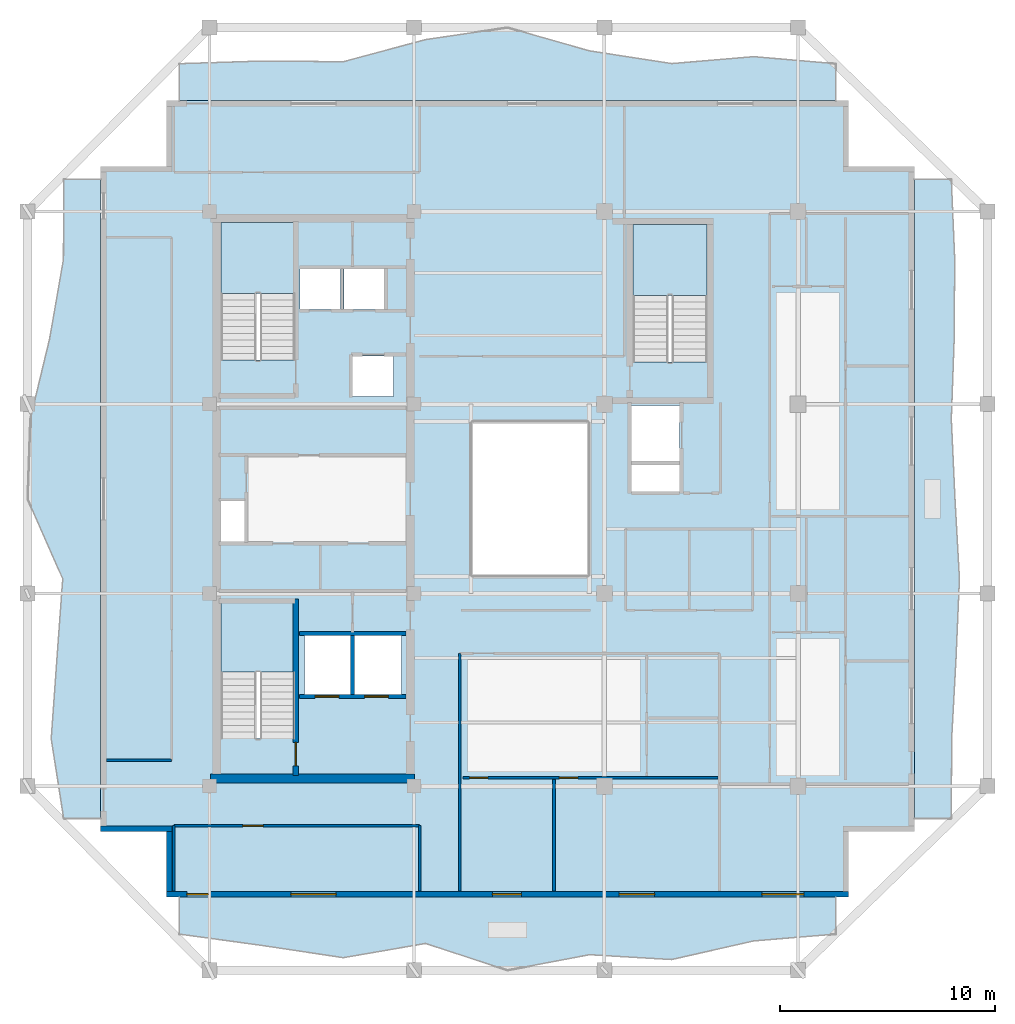
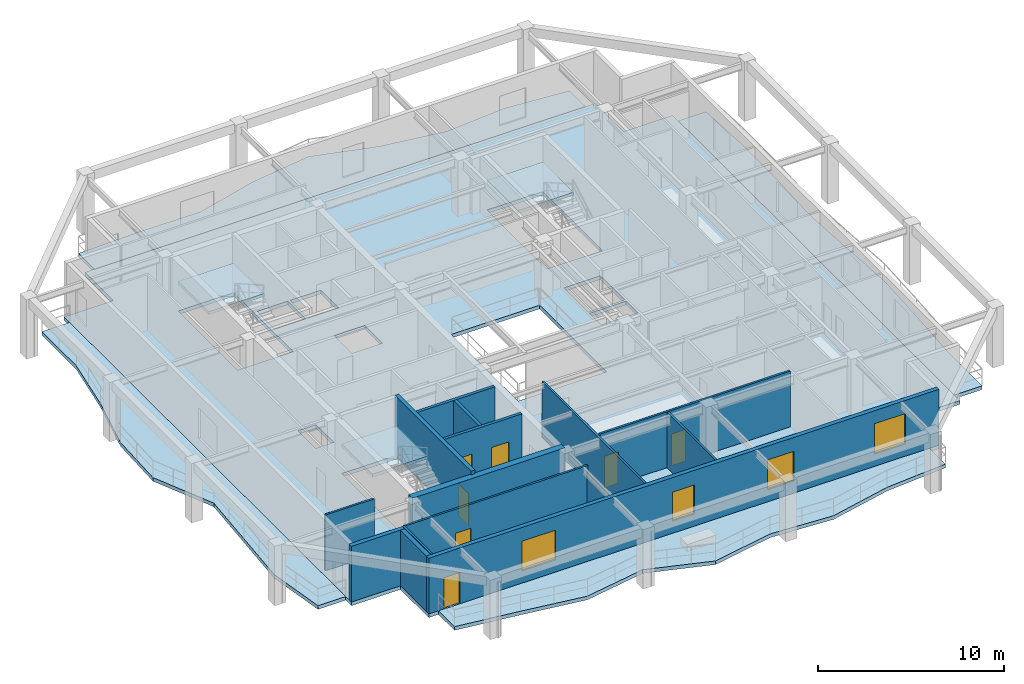
# One storey, part 2 of 10: 15 walls, 8 slabs, 7 doors, 4 windows, 11 openings, 3 elements without a shape of their own.
"""IFC4 building model written with IfcOpenShell, lengths in metres."""

from ifc_helpers import new_model, si_unit, direction, frame, frame_2d, origin, place, context, subcontext, project, spatial, polyline, rectangle, outline, extrude, material, layer, layer_set, type_object, element, fill, aggregate, save


model = new_model("IFC4")

# Units and contexts
model_context = context("Model", 3, precision=1e-05, world=origin(), true_north=direction((0.0, 1.0)))
body_context = subcontext(model_context, "Body", "Model", "MODEL_VIEW")
ifc_project = project(units=[si_unit("LENGTHUNIT", "METRE"), si_unit("AREAUNIT", "SQUARE_METRE"), si_unit("VOLUMEUNIT", "CUBIC_METRE"), si_unit("PLANEANGLEUNIT", "RADIAN"), si_unit("MASSUNIT", "GRAM", prefix="KILO")], contexts=[model_context])

# Site, building, storey
site_placement = place(None, origin())
site = spatial("IfcSite", under=ifc_project, at=site_placement, CompositionType="ELEMENT")
building_placement = place(site_placement, origin())
building = spatial("IfcBuilding", under=site, at=building_placement, Name="Kundavana Baori Tower", CompositionType="ELEMENT")
storey_placement = place(building_placement, frame((0.0, 0.0, 272.60009765625)))
storey = spatial("IfcBuildingStorey", under=building, at=storey_placement, Name="L67", CompositionType="ELEMENT", Elevation=272.60009765625)

# Slab
ifc_material_1 = material(Name="Concrete C40/50", Category="concrete")
ifc_layer_1 = layer(ifc_material_1, 0.239990234375, Name="SLB-FLR-240")
ifc_layer_set_1 = layer_set([ifc_layer_1], Name="Concrete C40/50")
slab_type_1 = type_object("IfcSlabType", Name="SLB-FLR-240", PredefinedType="FLOOR", material=ifc_layer_set_1)
slab_1_placement = place(storey_placement, frame((0.0, 0.0, -0.239990234375)))
element("IfcSlab", 1, at=slab_1_placement, inside=storey, type_object=slab_type_1, Name="L67 Structural Floor Slab", PredefinedType="FLOOR", context=body_context, shape_type="SweptSolid", body=[
    extrude(outline(polyline([(13.449951171875, 10.10009765625), (45.14990234375, 10.10009765625), (45.14990234375, 13.14990234375), (48.199951171875, 13.14990234375), (48.199951171875, 44.050048828125), (45.14990234375, 44.050048828125), (45.14990234375, 47.10009765625), (13.449951171875, 47.10009765625), (13.449951171875, 44.050048828125), (10.39990234375, 44.050048828125), (10.39990234375, 13.14990234375), (13.449951171875, 13.14990234375), (13.449951171875, 10.10009765625)]), holes=[polyline([(19.43994140625, 17.4619140625), (19.43994140625, 23.85009765625), (15.97998046875, 23.85009765625), (15.97998046875, 17.4619140625), (19.43994140625, 17.4619140625)]), polyline([(19.43994140625, 35.06201171875), (19.43994140625, 41.449951171875), (15.97998046875, 41.449951171875), (15.97998046875, 35.06201171875), (19.43994140625, 35.06201171875)]), polyline([(38.580078125, 34.9619140625), (38.580078125, 41.35009765625), (35.1201171875, 41.35009765625), (35.1201171875, 34.9619140625), (38.580078125, 34.9619140625)]), polyline([(19.64990234375, 37.39990234375), (21.550048828125, 37.39990234375), (21.550048828125, 39.300048828125), (19.64990234375, 39.300048828125), (19.64990234375, 37.39990234375)]), polyline([(21.699951171875, 37.39990234375), (23.60009765625, 37.39990234375), (23.60009765625, 39.300048828125), (21.699951171875, 39.300048828125), (21.699951171875, 37.39990234375)]), polyline([(22.10009765625, 33.35009765625), (24.0, 33.35009765625), (24.0, 35.25), (22.10009765625, 35.25), (22.10009765625, 33.35009765625)]), polyline([(19.8798828125, 19.5), (22.02001953125, 19.5), (22.02001953125, 22.25), (19.8798828125, 22.25), (19.8798828125, 19.5)]), polyline([(22.179931640625, 19.5), (24.3798828125, 19.5), (24.3798828125, 22.25), (22.179931640625, 22.25), (22.179931640625, 19.5)]), polyline([(35.050048828125, 30.35009765625), (37.300048828125, 30.35009765625), (37.300048828125, 32.949951171875), (35.050048828125, 32.949951171875), (35.050048828125, 30.35009765625)]), polyline([(15.949951171875, 26.60009765625), (17.080078125, 26.60009765625), (17.080078125, 28.5), (15.949951171875, 28.5), (15.949951171875, 26.60009765625)]), polyline([(35.050048828125, 28.949951171875), (37.300048828125, 28.949951171875), (37.300048828125, 30.199951171875), (35.050048828125, 30.199951171875), (35.050048828125, 28.949951171875)]), polyline([(27.60009765625, 25.0), (33.10009765625, 25.0), (33.10009765625, 32.199951171875), (27.60009765625, 32.199951171875), (27.60009765625, 25.0)])]), origin(), (0.0, 0.0, 1.0), 0.239990234375),
])

# Stair, slab
ifc_material_2 = material(Name="Concrete C40/50", Category="concrete")
stair_type = type_object("IfcStairType", Name="STR-DOG-1650", PredefinedType="HALF_TURN_STAIR", material=ifc_material_2)
stair_1_placement = place(storey_placement, origin())
stair_1 = element("IfcStair", 2, at=stair_1_placement, inside=storey, type_object=stair_type, Name="L67 Protected Exit Stair ST1", PredefinedType="HALF_TURN_STAIR")
ifc_material_3 = material(Name="Concrete C40/50", Category="concrete")
ifc_layer_2 = layer(ifc_material_3, 0.199951171875, Name="SLB-LND-200")
ifc_layer_set_2 = layer_set([ifc_layer_2], Name="Concrete C40/50")
slab_type_2 = type_object("IfcSlabType", Name="SLB-LND-200", PredefinedType="LANDING", material=ifc_layer_set_2)
slab_2_placement = place(storey_placement, frame((0.0, 0.0, 1.75)))
slab_2 = element("IfcSlab", 3, at=slab_2_placement, type_object=slab_type_2, Name="ST1 landing 1", PredefinedType="LANDING", context=body_context, shape_type="SweptSolid", body=[
    extrude(outline(polyline([(19.43994140625, 20.550048828125), (19.43994140625, 23.85009765625), (15.97998046875, 23.85009765625), (15.97998046875, 20.550048828125), (19.43994140625, 20.550048828125)])), origin(), (0.0, 0.0, 1.0), 0.199951171875),
])
aggregate(stair_1, [slab_2])

stair_2_placement = place(storey_placement, origin())
stair_2 = element("IfcStair", 4, at=stair_2_placement, inside=storey, type_object=stair_type, Name="L67 Protected Exit Stair ST2", PredefinedType="HALF_TURN_STAIR")
slab_3_placement = place(storey_placement, frame((0.0, 0.0, 1.75)))
slab_3 = element("IfcSlab", 5, at=slab_3_placement, type_object=slab_type_2, Name="ST2 landing 1", PredefinedType="LANDING", context=body_context, shape_type="SweptSolid", body=[
    extrude(outline(polyline([(19.43994140625, 38.14990234375), (19.43994140625, 41.449951171875), (15.97998046875, 41.449951171875), (15.97998046875, 38.14990234375), (19.43994140625, 38.14990234375)])), origin(), (0.0, 0.0, 1.0), 0.199951171875),
])
aggregate(stair_2, [slab_3])

stair_3_placement = place(storey_placement, origin())
stair_3 = element("IfcStair", 6, at=stair_3_placement, inside=storey, type_object=stair_type, Name="L67 Protected Exit Stair ST3", PredefinedType="HALF_TURN_STAIR")
slab_4_placement = place(storey_placement, frame((0.0, 0.0, 1.75)))
slab_4 = element("IfcSlab", 7, at=slab_4_placement, type_object=slab_type_2, Name="ST3 landing 1", PredefinedType="LANDING", context=body_context, shape_type="SweptSolid", body=[
    extrude(outline(polyline([(38.580078125, 38.050048828125), (38.580078125, 41.35009765625), (35.1201171875, 41.35009765625), (35.1201171875, 38.050048828125), (38.580078125, 38.050048828125)])), origin(), (0.0, 0.0, 1.0), 0.199951171875),
])
aggregate(stair_3, [slab_4])

# Slabs
ifc_material_4 = material(Name="Concrete C40/50", Category="concrete")
ifc_layer_3 = layer(ifc_material_4, 0.239990234375, Name="SLB-LOG-240")
ifc_layer_set_3 = layer_set([ifc_layer_3], Name="Concrete C40/50")
slab_type_3 = type_object("IfcSlabType", Name="SLB-LOG-240", PredefinedType="FLOOR", material=ifc_layer_set_3)
slab_5_placement = place(storey_placement, frame((0.0, 0.0, -0.239990234375)))
element("IfcSlab", 8, at=slab_5_placement, inside=storey, type_object=slab_type_3, Name="L67 Planted Loggia Balcony Slab S", PredefinedType="FLOOR", context=body_context, shape_type="SweptSolid", body=[
    extrude(outline(polyline([(14.050048828125, 10.10009765625), (44.550048828125, 10.10009765625), (44.550048828125, 8.3798828125), (40.737060546875, 8.06298828125), (36.925048828125, 7.197021484375), (33.112060546875, 7.423095703125), (29.300048828125, 6.699951171875), (25.487060546875, 7.945068359375), (21.675048828125, 7.283935546875), (17.863037109375, 7.85791015625), (14.050048828125, 8.3798828125), (14.050048828125, 10.10009765625)])), origin(), (0.0, 0.0, 1.0), 0.239990234375),
])
slab_6_placement = place(storey_placement, frame((0.0, 0.0, -0.239990234375)))
element("IfcSlab", 9, at=slab_6_placement, inside=storey, type_object=slab_type_3, Name="L67 Planted Loggia Balcony Slab E", PredefinedType="FLOOR", context=body_context, shape_type="SweptSolid", body=[
    extrude(outline(polyline([(48.199951171875, 13.75), (48.199951171875, 43.449951171875), (49.919921875, 43.449951171875), (50.077880859375, 39.738037109375), (50.052978515625, 36.02490234375), (49.919921875, 32.31201171875), (50.090087890625, 28.60009765625), (50.297119140625, 24.887939453125), (50.137939453125, 21.175048828125), (49.93603515625, 17.4619140625), (49.919921875, 13.75), (48.199951171875, 13.75)])), origin(), (0.0, 0.0, 1.0), 0.239990234375),
])
slab_7_placement = place(storey_placement, frame((0.0, 0.0, -0.239990234375)))
element("IfcSlab", 10, at=slab_7_placement, inside=storey, type_object=slab_type_3, Name="L67 Planted Loggia Balcony Slab N", PredefinedType="FLOOR", context=body_context, shape_type="SweptSolid", body=[
    extrude(outline(polyline([(44.550048828125, 47.10009765625), (14.050048828125, 47.10009765625), (14.050048828125, 48.820068359375), (17.863037109375, 48.94091796875), (21.675048828125, 48.912109375), (25.487060546875, 49.93701171875), (29.300048828125, 50.5), (33.112060546875, 49.416015625), (36.925048828125, 48.824951171875), (40.737060546875, 49.14599609375), (44.550048828125, 48.820068359375), (44.550048828125, 47.10009765625)])), origin(), (0.0, 0.0, 1.0), 0.239990234375),
])
slab_8_placement = place(storey_placement, frame((0.0, 0.0, -0.239990234375)))
element("IfcSlab", 11, at=slab_8_placement, inside=storey, type_object=slab_type_3, Name="L67 Planted Loggia Balcony Slab W", PredefinedType="FLOOR", context=body_context, shape_type="SweptSolid", body=[
    extrude(outline(polyline([(10.39990234375, 43.449951171875), (10.39990234375, 13.75), (8.679931640625, 13.75), (8.10009765625, 17.4619140625), (8.364990234375, 21.175048828125), (8.635986328125, 24.887939453125), (7.0, 28.60009765625), (7.12890625, 32.31201171875), (8.02392578125, 36.02490234375), (8.669921875, 39.738037109375), (8.679931640625, 43.449951171875), (10.39990234375, 43.449951171875)])), origin(), (0.0, 0.0, 1.0), 0.239990234375),
])

# Wall
ifc_material_5 = material(Name="Concrete C50/60", Category="concrete")
ifc_layer_4 = layer(ifc_material_5, 0.39990234375, Name="WL-CORE-400")
ifc_layer_set_4 = layer_set([ifc_layer_4], Name="Concrete C50/60")
wall_type_1 = type_object("IfcWallType", Name="WL-CORE-400", PredefinedType="SHEAR", material=ifc_layer_set_4)
wall_1_placement = place(storey_placement, frame((15.5, 15.610107421875, 0.0), z_axis=(0.0, 0.0, 1.0), x_axis=(1.0, 0.0, 0.0)))
element("IfcWall", 12, at=wall_1_placement, inside=storey, type_object=wall_type_1, Name="L67 Offset Core South Shear Wall", PredefinedType="SHEAR", context=body_context, shape_type="SweptSolid", body=[
    extrude(rectangle(XDim=9.47998046875, YDim=0.39990234375, at=frame_2d((4.739990234375, 0.0))), origin(), (0.0, 0.0, 1.0), 3.659912109375),
])

# Wall, opening, door
wall_2_placement = place(storey_placement, frame((19.4599609375, 15.739990234375, 0.0), z_axis=(0.0, 0.0, 1.0), x_axis=(0.0, 1.0, 0.0)))
wall_2 = element("IfcWall", 13, at=wall_2_placement, inside=storey, type_object=wall_type_1, Name="WL-L67-ST1-E", PredefinedType="SHEAR", context=body_context, shape_type="SweptSolid", body=[
    extrude(rectangle(XDim=8.199951171875, YDim=0.239990234375, at=frame_2d((4.10009765625, 0.0))), origin(), (0.0, 0.0, 1.0), 3.89990234375),
])
opening_1_placement = place(wall_2_placement, frame((0.449951171875, 0.0, 0.0)))
opening_1 = element("IfcOpeningElement", 14, at=opening_1_placement, cuts=wall_2, Name="Opening FD-110", PredefinedType="OPENING", context=body_context, shape_type="SweptSolid", body=[
    extrude(rectangle(XDim=1.10009765625, YDim=2.10009765625, at=frame_2d((0.550048828125, 1.050048828125))), frame((0.0, 0.1298828125, 0.0), z_axis=(0.0, -1.0, 0.0), x_axis=(1.0, 0.0, 0.0)), (0.0, 0.0, 1.0), 0.260009765625),
])
ifc_material_6 = material(Name="Galvanised Steel Fire-Rated Door Leaf", Category="steel")
door_type_1 = type_object("IfcDoorType", Name="DR-FD120-1100", OperationType="NOTDEFINED", PredefinedType="DOOR", material=ifc_material_6)
door_1_placement = place(opening_1_placement, origin())
door_1 = element("IfcDoor", 15, at=door_1_placement, inside=storey, type_object=door_type_1, Name="DR-L67-ST1", OperationType="SINGLE_SWING_LEFT", OverallHeight=2.10009765625, OverallWidth=1.10009765625, PredefinedType="DOOR", context=body_context, shape_type="SweptSolid", body=[
    extrude(rectangle(XDim=1.10009765625, YDim=2.10009765625, at=frame_2d((0.550048828125, 1.050048828125))), frame((0.0, 0.02490234375, 0.0), z_axis=(0.0, -1.0, 0.0), x_axis=(1.0, 0.0, 0.0)), (0.0, 0.0, 1.0), 0.050048828125),
])
fill(opening_1, door_1)

# Wall, openings, door, windows
ifc_material_7 = material(Name="Kiln-Fired Terracotta Brick-Slip Masonry on Concrete C40/50", Category="masonry")
ifc_layer_5 = layer(ifc_material_7, 0.260009765625, Name="WL-EXT-BRK-260")
ifc_layer_set_5 = layer_set([ifc_layer_5], Name="Kiln-Fired Terracotta Brick-Slip Masonry on Concrete C40/50")
wall_type_2 = type_object("IfcWallType", Name="WL-EXT-BRK-260", PredefinedType="SOLIDWALL", material=ifc_layer_set_5)
wall_3_placement = place(storey_placement, frame((13.449951171875, 10.22998046875, 0.0), z_axis=(0.0, 0.0, 1.0), x_axis=(1.0, 0.0, 0.0)))
wall_3 = element("IfcWall", 16, at=wall_3_placement, inside=storey, type_object=wall_type_2, Name="L67 Exterior Insulated Facade Wall 01", PredefinedType="SOLIDWALL", context=body_context, shape_type="SweptSolid", body=[
    extrude(rectangle(XDim=31.699951171875, YDim=0.260009765625, at=frame_2d((15.85009765625, 0.0))), origin(), (0.0, 0.0, 1.0), 3.659912109375),
])
opening_2_placement = place(wall_3_placement, frame((0.949951171875, 0.0, 0.0)))
opening_2 = element("IfcOpeningElement", 17, at=opening_2_placement, cuts=wall_3, Name="Opening BD-1", PredefinedType="OPENING", context=body_context, shape_type="SweptSolid", body=[
    extrude(rectangle(XDim=1.0, YDim=2.050048828125, at=frame_2d((0.5, 1.02490234375))), frame((0.0, 0.14013671875, 0.0), z_axis=(0.0, -1.0, 0.0), x_axis=(1.0, 0.0, 0.0)), (0.0, 0.0, 1.0), 0.280029296875),
])
opening_3_placement = place(wall_3_placement, frame((5.784912109375, 0.0, 0.800048828125)))
opening_3 = element("IfcOpeningElement", 18, at=opening_3_placement, cuts=wall_3, Name="Opening W-05", PredefinedType="OPENING", context=body_context, shape_type="SweptSolid", body=[
    extrude(rectangle(XDim=2.10009765625, YDim=1.949951171875, at=frame_2d((1.050048828125, 0.97509765625))), frame((0.0, 0.14013671875, 0.0), z_axis=(0.0, -1.0, 0.0), x_axis=(1.0, 0.0, 0.0)), (0.0, 0.0, 1.0), 0.280029296875),
])
opening_4_placement = place(wall_3_placement, frame((15.14794921875, 0.0, 0.800048828125)))
opening_4 = element("IfcOpeningElement", 19, at=opening_4_placement, cuts=wall_3, Name="Opening W-07", PredefinedType="OPENING", context=body_context, shape_type="SweptSolid", body=[
    extrude(rectangle(XDim=1.35009765625, YDim=1.89990234375, at=frame_2d((0.675048828125, 0.949951171875))), frame((0.0, 0.14013671875, 0.0), z_axis=(0.0, -1.0, 0.0), x_axis=(1.0, 0.0, 0.0)), (0.0, 0.0, 1.0), 0.280029296875),
])
opening_5_placement = place(wall_3_placement, frame((21.032958984375, 0.0, 0.800048828125)))
opening_5 = element("IfcOpeningElement", 20, at=opening_5_placement, cuts=wall_3, Name="Opening W-08", PredefinedType="OPENING", context=body_context, shape_type="SweptSolid", body=[
    extrude(rectangle(XDim=1.64990234375, YDim=1.949951171875, at=frame_2d((0.824951171875, 0.97509765625))), frame((0.0, 0.14013671875, 0.0), z_axis=(0.0, -1.0, 0.0), x_axis=(1.0, 0.0, 0.0)), (0.0, 0.0, 1.0), 0.280029296875),
])
opening_6_placement = place(wall_3_placement, frame((27.669921875, 0.0, 0.800048828125)))
opening_6 = element("IfcOpeningElement", 21, at=opening_6_placement, cuts=wall_3, Name="Opening W-09", PredefinedType="OPENING", context=body_context, shape_type="SweptSolid", body=[
    extrude(rectangle(XDim=1.949951171875, YDim=2.0, at=frame_2d((0.97509765625, 1.0))), frame((0.0, 0.14013671875, 0.0), z_axis=(0.0, -1.0, 0.0), x_axis=(1.0, 0.0, 0.0)), (0.0, 0.0, 1.0), 0.280029296875),
])
ifc_material_8 = material(Name="Architectural Patinated Bronze Metalwork")
door_type_2 = type_object("IfcDoorType", Name="DR-EXT-LOG-1000", OperationType="NOTDEFINED", PredefinedType="DOOR", material=ifc_material_8)
door_2_placement = place(opening_2_placement, frame((1.0, 0.0, 0.0), z_axis=(0.0, 0.0, 1.0), x_axis=(-1.0, 0.0, 0.0)))
door_2 = element("IfcDoor", 22, at=door_2_placement, inside=storey, type_object=door_type_2, Name="L67 Loggia Balcony Access Door S", OperationType="SINGLE_SWING_LEFT", OverallHeight=2.050048828125, OverallWidth=1.0, PredefinedType="DOOR", context=body_context, shape_type="SweptSolid", body=[
    extrude(rectangle(XDim=1.0, YDim=2.050048828125, at=frame_2d((0.5, 1.02490234375))), frame((0.0, 0.02490234375, 0.0), z_axis=(0.0, -1.0, 0.0), x_axis=(1.0, 0.0, 0.0)), (0.0, 0.0, 1.0), 0.050048828125),
])
fill(opening_2, door_2)
ifc_material_9 = material(Name="Double-Glazed Solar-Control Low-E Insulated Glass", Category="glass")
window_type_1 = type_object("IfcWindowType", Name="WIN-LOG-1350x1900", PartitioningType="SINGLE_PANEL", PredefinedType="WINDOW", material=ifc_material_9)
window_1_placement = place(opening_4_placement, origin())
window_1 = element("IfcWindow", 23, at=window_1_placement, inside=storey, type_object=window_type_1, Name="L67 Recessed Loggia Window S-2", OverallHeight=1.89990234375, OverallWidth=1.35009765625, PartitioningType="SINGLE_PANEL", PredefinedType="WINDOW", context=body_context, shape_type="SweptSolid", body=[
    extrude(rectangle(XDim=1.35009765625, YDim=1.89990234375, at=frame_2d((0.675048828125, 0.949951171875))), frame((0.0, 0.030029296875, 0.0), z_axis=(0.0, -1.0, 0.0), x_axis=(1.0, 0.0, 0.0)), (0.0, 0.0, 1.0), 0.06005859375),
])
fill(opening_4, window_1)
ifc_material_10 = material(Name="Double-Glazed Solar-Control Low-E Insulated Glass", Category="glass")
window_type_2 = type_object("IfcWindowType", Name="WIN-LOG-1650x1950", PartitioningType="SINGLE_PANEL", PredefinedType="WINDOW", material=ifc_material_10)
window_2_placement = place(opening_5_placement, origin())
window_2 = element("IfcWindow", 24, at=window_2_placement, inside=storey, type_object=window_type_2, Name="L67 Recessed Loggia Window S-3", OverallHeight=1.949951171875, OverallWidth=1.64990234375, PartitioningType="SINGLE_PANEL", PredefinedType="WINDOW", context=body_context, shape_type="SweptSolid", body=[
    extrude(rectangle(XDim=1.64990234375, YDim=1.949951171875, at=frame_2d((0.824951171875, 0.97509765625))), frame((0.0, 0.030029296875, 0.0), z_axis=(0.0, -1.0, 0.0), x_axis=(1.0, 0.0, 0.0)), (0.0, 0.0, 1.0), 0.06005859375),
])
fill(opening_5, window_2)
ifc_material_11 = material(Name="Double-Glazed Solar-Control Low-E Insulated Glass", Category="glass")
window_type_3 = type_object("IfcWindowType", Name="WIN-LOG-1950x2000", PartitioningType="SINGLE_PANEL", PredefinedType="WINDOW", material=ifc_material_11)
window_3_placement = place(opening_6_placement, origin())
window_3 = element("IfcWindow", 25, at=window_3_placement, inside=storey, type_object=window_type_3, Name="L67 Recessed Loggia Window S-4", OverallHeight=2.0, OverallWidth=1.949951171875, PartitioningType="SINGLE_PANEL", PredefinedType="WINDOW", context=body_context, shape_type="SweptSolid", body=[
    extrude(rectangle(XDim=1.949951171875, YDim=2.0, at=frame_2d((0.97509765625, 1.0))), frame((0.0, 0.030029296875, 0.0), z_axis=(0.0, -1.0, 0.0), x_axis=(1.0, 0.0, 0.0)), (0.0, 0.0, 1.0), 0.06005859375),
])
fill(opening_6, window_3)
ifc_material_12 = material(Name="Double-Glazed Solar-Control Low-E Insulated Glass", Category="glass")
window_type_4 = type_object("IfcWindowType", Name="WIN-LOG-2100x1950", PartitioningType="SINGLE_PANEL", PredefinedType="WINDOW", material=ifc_material_12)
window_4_placement = place(opening_3_placement, origin())
window_4 = element("IfcWindow", 26, at=window_4_placement, inside=storey, type_object=window_type_4, Name="L67 Recessed Loggia Window S-1", OverallHeight=1.949951171875, OverallWidth=2.10009765625, PartitioningType="SINGLE_PANEL", PredefinedType="WINDOW", context=body_context, shape_type="SweptSolid", body=[
    extrude(rectangle(XDim=2.10009765625, YDim=1.949951171875, at=frame_2d((1.050048828125, 0.97509765625))), frame((0.0, 0.030029296875, 0.0), z_axis=(0.0, -1.0, 0.0), x_axis=(1.0, 0.0, 0.0)), (0.0, 0.0, 1.0), 0.06005859375),
])
fill(opening_3, window_4)

# Walls
wall_4_placement = place(storey_placement, frame((10.39990234375, 13.280029296875, 0.0), z_axis=(0.0, 0.0, 1.0), x_axis=(1.0, 0.0, 0.0)))
element("IfcWall", 27, at=wall_4_placement, inside=storey, type_object=wall_type_2, Name="L67 Exterior Insulated Facade Wall 11", PredefinedType="SOLIDWALL", context=body_context, shape_type="SweptSolid", body=[
    extrude(rectangle(XDim=3.31005859375, YDim=0.260009765625, at=frame_2d((1.655029296875, 0.0))), origin(), (0.0, 0.0, 1.0), 3.659912109375),
])
wall_5_placement = place(storey_placement, frame((13.580078125, 13.14990234375, 0.0), z_axis=(0.0, 0.0, 1.0), x_axis=(0.0, -1.0, 0.0)))
element("IfcWall", 28, at=wall_5_placement, inside=storey, type_object=wall_type_2, Name="L67 Exterior Insulated Facade Wall 12", PredefinedType="SOLIDWALL", context=body_context, shape_type="SweptSolid", body=[
    extrude(rectangle(XDim=2.789794921875, YDim=0.260009765625, at=frame_2d((1.39501953125, 0.0))), origin(), (0.0, 0.0, 1.0), 3.659912109375),
])

# Wall, openings, doors
ifc_material_13 = material(Name="Autoclaved Aerated Concrete Blockwork Masonry", Category="masonry")
ifc_layer_6 = layer(ifc_material_13, 0.179931640625, Name="WL-SHAFT-180")
ifc_layer_set_6 = layer_set([ifc_layer_6], Name="Autoclaved Aerated Concrete Blockwork Masonry")
wall_type_3 = type_object("IfcWallType", Name="WL-SHAFT-180", PredefinedType="SOLIDWALL", material=ifc_layer_set_6)
wall_6_placement = place(storey_placement, frame((19.639892578125, 19.419921875, 0.0), z_axis=(0.0, 0.0, 1.0), x_axis=(1.0, 0.0, 0.0)))
wall_6 = element("IfcWall", 29, at=wall_6_placement, inside=storey, type_object=wall_type_3, Name="WL-L67-FFL-S", PredefinedType="SOLIDWALL", context=body_context, shape_type="SweptSolid", body=[
    extrude(rectangle(XDim=4.940185546875, YDim=0.179931640625, at=frame_2d((2.47021484375, 0.0))), origin(), (0.0, 0.0, 1.0), 3.659912109375),
])
opening_7_placement = place(wall_6_placement, frame((0.719970703125, 0.0, 0.0)))
opening_7 = element("IfcOpeningElement", 30, at=opening_7_placement, cuts=wall_6, Name="Opening LD-110", PredefinedType="OPENING", context=body_context, shape_type="SweptSolid", body=[
    extrude(rectangle(XDim=1.10009765625, YDim=2.10009765625, at=frame_2d((0.550048828125, 1.050048828125))), frame((0.0, 0.10009765625, 0.0), z_axis=(0.0, -1.0, 0.0), x_axis=(1.0, 0.0, 0.0)), (0.0, 0.0, 1.0), 0.199951171875),
])
opening_8_placement = place(wall_6_placement, frame((3.02001953125, 0.0, 0.0)))
opening_8 = element("IfcOpeningElement", 31, at=opening_8_placement, cuts=wall_6, Name="Opening LD-110", PredefinedType="OPENING", context=body_context, shape_type="SweptSolid", body=[
    extrude(rectangle(XDim=1.10009765625, YDim=2.10009765625, at=frame_2d((0.550048828125, 1.050048828125))), frame((0.0, 0.10009765625, 0.0), z_axis=(0.0, -1.0, 0.0), x_axis=(1.0, 0.0, 0.0)), (0.0, 0.0, 1.0), 0.199951171875),
])
ifc_material_14 = material(Name="Galvanised Steel Fire-Rated Door Leaf", Category="steel")
door_type_3 = type_object("IfcDoorType", Name="DR-SLIDE-LD1100", OperationType="NOTDEFINED", PredefinedType="DOOR", material=ifc_material_14)
door_3_placement = place(opening_7_placement, origin())
door_3 = element("IfcDoor", 32, at=door_3_placement, inside=storey, type_object=door_type_3, Name="DR-L67-LD-FFL-1", OperationType="DOUBLE_DOOR_SLIDING", OverallHeight=2.10009765625, OverallWidth=1.10009765625, PredefinedType="DOOR", context=body_context, shape_type="SweptSolid", body=[
    extrude(rectangle(XDim=1.10009765625, YDim=2.10009765625, at=frame_2d((0.550048828125, 1.050048828125))), frame((0.0, 0.02490234375, 0.0), z_axis=(0.0, -1.0, 0.0), x_axis=(1.0, 0.0, 0.0)), (0.0, 0.0, 1.0), 0.050048828125),
])
fill(opening_7, door_3)
door_4_placement = place(opening_8_placement, origin())
door_4 = element("IfcDoor", 33, at=door_4_placement, inside=storey, type_object=door_type_3, Name="DR-L67-LD-FFL-2", OperationType="DOUBLE_DOOR_SLIDING", OverallHeight=2.10009765625, OverallWidth=1.10009765625, PredefinedType="DOOR", context=body_context, shape_type="SweptSolid", body=[
    extrude(rectangle(XDim=1.10009765625, YDim=2.10009765625, at=frame_2d((0.550048828125, 1.050048828125))), frame((0.0, 0.02490234375, 0.0), z_axis=(0.0, -1.0, 0.0), x_axis=(1.0, 0.0, 0.0)), (0.0, 0.0, 1.0), 0.050048828125),
])
fill(opening_8, door_4)

# Walls
wall_7_placement = place(storey_placement, frame((22.10009765625, 19.510009765625, 0.0), z_axis=(0.0, 0.0, 1.0), x_axis=(0.0, 1.0, 0.0)))
element("IfcWall", 34, at=wall_7_placement, inside=storey, type_object=wall_type_3, Name="WL-L67-FFL-MID", PredefinedType="SOLIDWALL", context=body_context, shape_type="SweptSolid", body=[
    extrude(rectangle(XDim=2.739990234375, YDim=0.179931640625, at=frame_2d((1.3701171875, 0.0))), origin(), (0.0, 0.0, 1.0), 3.659912109375),
])
wall_8_placement = place(storey_placement, frame((19.639892578125, 22.340087890625, 0.0), z_axis=(0.0, 0.0, 1.0), x_axis=(1.0, 0.0, 0.0)))
element("IfcWall", 35, at=wall_8_placement, inside=storey, type_object=wall_type_3, Name="WL-L67-FFL-N", PredefinedType="SOLIDWALL", context=body_context, shape_type="SweptSolid", body=[
    extrude(rectangle(XDim=4.940185546875, YDim=0.179931640625, at=frame_2d((2.47021484375, 0.0))), origin(), (0.0, 0.0, 1.0), 3.659912109375),
])
ifc_material_15 = material(Name="Autoclaved Aerated Concrete Blockwork Masonry", Category="masonry")
ifc_layer_7 = layer(ifc_material_15, 0.125, Name="WL-WET-120")
ifc_layer_set_7 = layer_set([ifc_layer_7], Name="Autoclaved Aerated Concrete Blockwork Masonry")
wall_type_4 = type_object("IfcWallType", Name="WL-WET-120", PredefinedType="PLUMBINGWALL", material=ifc_layer_set_7)
wall_9_placement = place(storey_placement, frame((27.080078125, 10.3798828125, 0.0), z_axis=(0.0, 0.0, 1.0), x_axis=(0.0, 1.0, 0.0)))
element("IfcWall", 36, at=wall_9_placement, inside=storey, type_object=wall_type_4, Name="WL-L67-RSW", PredefinedType="PLUMBINGWALL", context=body_context, shape_type="SweptSolid", body=[
    extrude(rectangle(XDim=11.0400390625, YDim=0.125, at=frame_2d((5.52001953125, 0.0))), origin(), (0.0, 0.0, 1.0), 3.659912109375),
])

# Wall, opening, door
wall_10_placement = place(storey_placement, frame((13.800048828125, 13.419921875, 0.0), z_axis=(0.0, 0.0, 1.0), x_axis=(1.0, 0.0, 0.0)))
wall_10 = element("IfcWall", 37, at=wall_10_placement, inside=storey, type_object=wall_type_4, Name="WL-L67-RSC", PredefinedType="PLUMBINGWALL", context=body_context, shape_type="SweptSolid", body=[
    extrude(rectangle(XDim=11.419921875, YDim=0.125, at=frame_2d((5.7099609375, 0.0))), origin(), (0.0, 0.0, 1.0), 3.659912109375),
])
opening_9_placement = place(wall_10_placement, frame((3.199951171875, 0.0, 0.0)))
opening_9 = element("IfcOpeningElement", 38, at=opening_9_placement, cuts=wall_10, Name="Opening ID-095", PredefinedType="OPENING", context=body_context, shape_type="SweptSolid", body=[
    extrude(rectangle(XDim=0.949951171875, YDim=2.080078125, at=frame_2d((0.47509765625, 1.0400390625))), frame((0.0, 0.072509765625, 0.0), z_axis=(0.0, -1.0, 0.0), x_axis=(1.0, 0.0, 0.0)), (0.0, 0.0, 1.0), 0.14501953125),
])
ifc_material_16 = material(Name="Engineered Teak Solid-Core Timber Veneer", Category="wood")
door_type_4 = type_object("IfcDoorType", Name="DR-INT-950", OperationType="NOTDEFINED", PredefinedType="DOOR", material=ifc_material_16)
door_5_placement = place(opening_9_placement, frame((0.949951171875, 0.0, 0.0), z_axis=(0.0, 0.0, 1.0), x_axis=(-1.0, 0.0, 0.0)))
door_5 = element("IfcDoor", 39, at=door_5_placement, inside=storey, type_object=door_type_4, Name="DR-L67-RMSW", OperationType="SINGLE_SWING_LEFT", OverallHeight=2.080078125, OverallWidth=0.949951171875, PredefinedType="DOOR", context=body_context, shape_type="SweptSolid", body=[
    extrude(rectangle(XDim=0.949951171875, YDim=2.080078125, at=frame_2d((0.47509765625, 1.0400390625))), frame((0.0, 0.02490234375, 0.0), z_axis=(0.0, -1.0, 0.0), x_axis=(1.0, 0.0, 0.0)), (0.0, 0.0, 1.0), 0.050048828125),
])
fill(opening_9, door_5)

# Walls
wall_11_placement = place(storey_placement, frame((13.800048828125, 10.3798828125, 0.0), z_axis=(0.0, 0.0, 1.0), x_axis=(0.0, 1.0, 0.0)))
element("IfcWall", 40, at=wall_11_placement, inside=storey, type_object=wall_type_4, Name="WL-L67-RSCW", PredefinedType="PLUMBINGWALL", context=body_context, shape_type="SweptSolid", body=[
    extrude(rectangle(XDim=3.0400390625, YDim=0.125, at=frame_2d((1.52001953125, 0.0))), origin(), (0.0, 0.0, 1.0), 3.659912109375),
])
wall_12_placement = place(storey_placement, frame((25.219970703125, 10.3798828125, 0.0), z_axis=(0.0, 0.0, 1.0), x_axis=(0.0, 1.0, 0.0)))
element("IfcWall", 41, at=wall_12_placement, inside=storey, type_object=wall_type_4, Name="WL-L67-RSCE", PredefinedType="PLUMBINGWALL", context=body_context, shape_type="SweptSolid", body=[
    extrude(rectangle(XDim=3.0400390625, YDim=0.125, at=frame_2d((1.52001953125, 0.0))), origin(), (0.0, 0.0, 1.0), 3.2099609375),
])
wall_13_placement = place(storey_placement, frame((10.679931640625, 16.449951171875, 0.0), z_axis=(0.0, 0.0, 1.0), x_axis=(1.0, 0.0, 0.0)))
element("IfcWall", 42, at=wall_13_placement, inside=storey, type_object=wall_type_4, Name="WL-L67-RWS", PredefinedType="PLUMBINGWALL", context=body_context, shape_type="SweptSolid", body=[
    extrude(rectangle(XDim=3.02001953125, YDim=0.125, at=frame_2d((1.510009765625, 0.0))), origin(), (0.0, 0.0, 1.0), 3.659912109375),
])

# Wall, openings, doors
wall_14_placement = place(storey_placement, frame((27.239990234375, 15.64111328125, 0.0), z_axis=(0.0, 0.0, 1.0), x_axis=(1.0, 0.0, 0.0)))
wall_14 = element("IfcWall", 43, at=wall_14_placement, inside=storey, type_object=wall_type_4, Name="WL-L67-S1-HZ", PredefinedType="PLUMBINGWALL", context=body_context, shape_type="SweptSolid", body=[
    extrude(rectangle(XDim=11.830078125, YDim=0.125, at=frame_2d((5.9150390625, 0.0))), origin(), (0.0, 0.0, 1.0), 3.659912109375),
])
opening_10_placement = place(wall_14_placement, frame((0.300048828125, 0.0, 0.0)))
opening_10 = element("IfcOpeningElement", 44, at=opening_10_placement, cuts=wall_14, Name="Opening ID-085", PredefinedType="OPENING", context=body_context, shape_type="SweptSolid", body=[
    extrude(rectangle(XDim=0.85009765625, YDim=2.080078125, at=frame_2d((0.425048828125, 1.0400390625))), frame((0.0, 0.072509765625, 0.0), z_axis=(0.0, -1.0, 0.0), x_axis=(1.0, 0.0, 0.0)), (0.0, 0.0, 1.0), 0.14501953125),
])
opening_11_placement = place(wall_14_placement, frame((4.47509765625, 0.0, 0.0)))
opening_11 = element("IfcOpeningElement", 45, at=opening_11_placement, cuts=wall_14, Name="Opening ID-085", PredefinedType="OPENING", context=body_context, shape_type="SweptSolid", body=[
    extrude(rectangle(XDim=0.85009765625, YDim=2.080078125, at=frame_2d((0.425048828125, 1.0400390625))), frame((0.0, 0.072509765625, 0.0), z_axis=(0.0, -1.0, 0.0), x_axis=(1.0, 0.0, 0.0)), (0.0, 0.0, 1.0), 0.14501953125),
])
ifc_material_17 = material(Name="Engineered Teak Solid-Core Timber Veneer", Category="wood")
door_type_5 = type_object("IfcDoorType", Name="DR-INT-850", OperationType="NOTDEFINED", PredefinedType="DOOR", material=ifc_material_17)
door_6_placement = place(opening_10_placement, frame((0.85009765625, 0.0, 0.0), z_axis=(0.0, 0.0, 1.0), x_axis=(-1.0, 0.0, 0.0)))
door_6 = element("IfcDoor", 46, at=door_6_placement, inside=storey, type_object=door_type_5, Name="DR-L67-S1-B1", OperationType="SINGLE_SWING_LEFT", OverallHeight=2.080078125, OverallWidth=0.85009765625, PredefinedType="DOOR", context=body_context, shape_type="SweptSolid", body=[
    extrude(rectangle(XDim=0.85009765625, YDim=2.080078125, at=frame_2d((0.425048828125, 1.0400390625))), frame((0.0, 0.02490234375, 0.0), z_axis=(0.0, -1.0, 0.0), x_axis=(1.0, 0.0, 0.0)), (0.0, 0.0, 1.0), 0.050048828125),
])
fill(opening_10, door_6)
door_7_placement = place(opening_11_placement, frame((0.85009765625, 0.0, 0.0), z_axis=(0.0, 0.0, 1.0), x_axis=(-1.0, 0.0, 0.0)))
door_7 = element("IfcDoor", 47, at=door_7_placement, inside=storey, type_object=door_type_5, Name="DR-L67-S1-B2", OperationType="SINGLE_SWING_RIGHT", OverallHeight=2.080078125, OverallWidth=0.85009765625, PredefinedType="DOOR", context=body_context, shape_type="SweptSolid", body=[
    extrude(rectangle(XDim=0.85009765625, YDim=2.080078125, at=frame_2d((0.425048828125, 1.0400390625))), frame((0.0, 0.02490234375, 0.0), z_axis=(0.0, -1.0, 0.0), x_axis=(1.0, 0.0, 0.0)), (0.0, 0.0, 1.0), 0.050048828125),
])
fill(opening_11, door_7)

# Wall
wall_15_placement = place(storey_placement, frame((31.465087890625, 10.3798828125, 0.0), z_axis=(0.0, 0.0, 1.0), x_axis=(0.0, 1.0, 0.0)))
element("IfcWall", 48, at=wall_15_placement, inside=storey, type_object=wall_type_4, Name="WL-L67-S1-BDV", PredefinedType="PLUMBINGWALL", context=body_context, shape_type="SweptSolid", body=[
    extrude(rectangle(XDim=5.18115234375, YDim=0.125, at=frame_2d((2.590576171875, 0.0))), origin(), (0.0, 0.0, 1.0), 3.659912109375),
])

save(model, "model.ifc")
